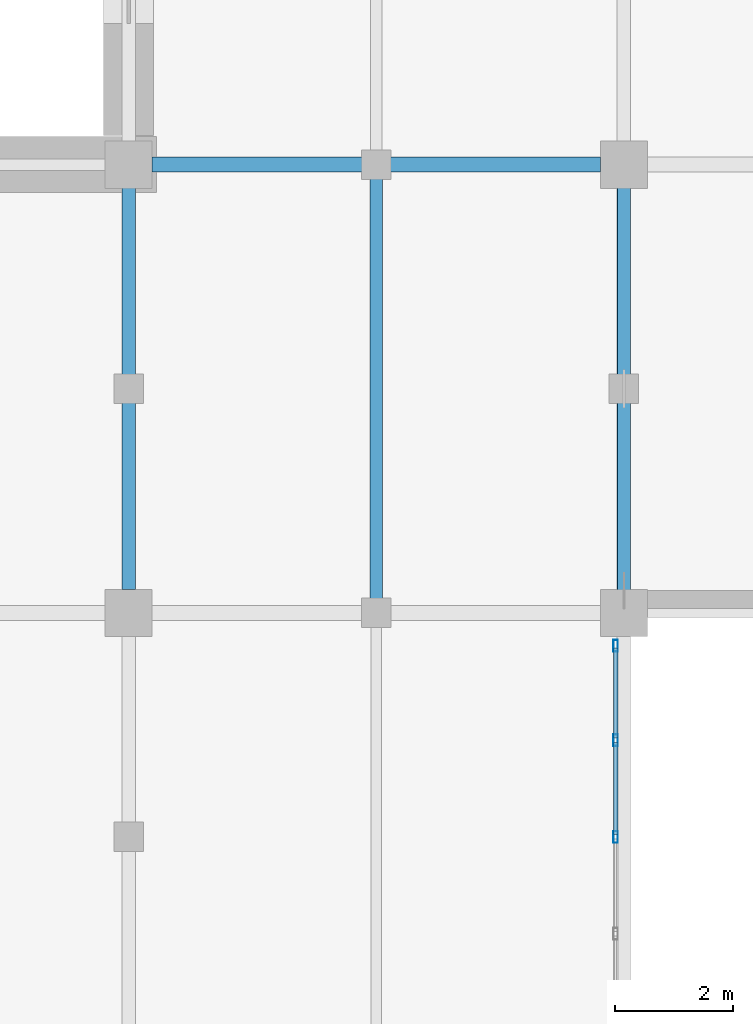
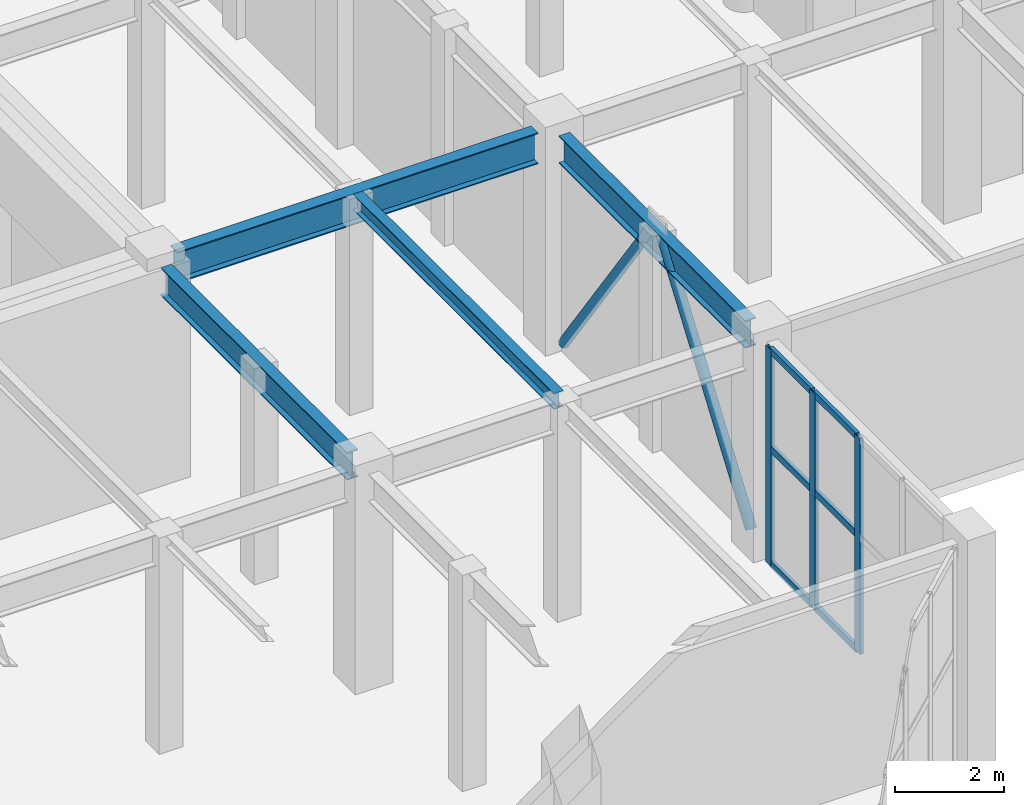
# One storey, part 39 of 128: 11 members, 4 beams, 1 element without a shape of its own.
"""IFC4 building model written with IfcOpenShell, lengths in metres."""

import ifcopenshell
import ifcopenshell.guid

model = None  # the IFC model being written
_history = None  # IfcOwnerHistory: only IFC2X3 demands one
_inside = {}  # id of a spatial element -> (the spatial element, [elements in it])
_under = {}  # id of a project, library or spatial element -> (it, [spatial elements below it])
_declared = {}  # id of a project -> (the project, [libraries it declares])
_typed = {}  # id of a type object -> (the type object, [elements of that type])
_made_of = {}  # id of a material, layer set ... -> (it, [elements and type objects made of it])


def new_model(schema):
    """Start an empty IFC model of exactly this schema.

    Asked for "IFC4X3", IfcOpenShell would pick the latest addendum, in which some entities
    have other attributes; the version numbers below select the first issue.
    IFC2X3 requires an IfcOwnerHistory on every rooted entity: one is made here for all.
    """
    global model, _history
    if schema == "IFC4X3":
        model = ifcopenshell.file(schema_version=(4, 3, 0, 0))
    else:
        model = ifcopenshell.file(schema=schema)
    _inside.clear()
    _under.clear()
    _declared.clear()
    _typed.clear()
    _made_of.clear()
    _history = None
    if model.schema == "IFC2X3":
        org = make("IfcOrganization", Name="unknown")
        user = make(
            "IfcPersonAndOrganization",
            ThePerson=make("IfcPerson", FamilyName="unknown"),
            TheOrganization=org,
        )
        app = make(
            "IfcApplication",
            ApplicationDeveloper=org,
            Version="unknown",
            ApplicationFullName="unknown",
            ApplicationIdentifier="unknown",
        )
        _history = make(
            "IfcOwnerHistory",
            OwningUser=user,
            OwningApplication=app,
            ChangeAction="ADDED",
            CreationDate=0,
        )
    return model


def make(cls, **values):
    """One entity of the class cls with the attributes given. An attribute that is None is left unset."""
    return model.create_entity(
        cls, **{name: value for name, value in values.items() if value is not None}
    )


def rooted(cls, **values):
    """An entity with a GlobalId (a new one), such as an element, a storey or a relation."""
    return make(cls, GlobalId=ifcopenshell.guid.new(), OwnerHistory=_history, **values)


def si_unit(unit_type, name, prefix=None):
    """IfcSIUnit, for example si_unit("LENGTHUNIT", "METRE", prefix="MILLI")."""
    return make("IfcSIUnit", UnitType=unit_type, Prefix=prefix, Name=name)


def assignment(units):
    """IfcUnitAssignment: the units of a project."""
    return None if units is None else make("IfcUnitAssignment", Units=units)


def point(xyz):
    """IfcCartesianPoint."""
    return None if xyz is None else make("IfcCartesianPoint", Coordinates=xyz)


def direction(xyz):
    """IfcDirection."""
    return None if xyz is None else make("IfcDirection", DirectionRatios=xyz)


def frame(location, z_axis=None, x_axis=None):
    """IfcAxis2Placement3D, a coordinate frame: its origin and axes. An axis left out is left unset."""
    return make(
        "IfcAxis2Placement3D",
        Location=point(location),
        Axis=direction(z_axis),
        RefDirection=direction(x_axis),
    )


def frame_2d(location, x_axis=None):
    """IfcAxis2Placement2D, a coordinate frame in the plane: its origin and x axis."""
    return make(
        "IfcAxis2Placement2D", Location=point(location), RefDirection=direction(x_axis)
    )


def origin():
    """The frame at (0, 0, 0) with its axes left unset."""
    return frame((0.0, 0.0, 0.0))


def origin_2d():
    """The frame at (0, 0) in the plane with its x axis left unset."""
    return frame_2d((0.0, 0.0))


def place(relative_to, where):
    """IfcLocalPlacement: puts the frame where relative to a parent placement (None: the world)."""
    return make(
        "IfcLocalPlacement", PlacementRelTo=relative_to, RelativePlacement=where
    )


def context(
    kind, dimensions, precision=None, world=None, true_north=None, identifier=None
):
    """IfcGeometricRepresentationContext, for example the 3D "Model" context."""
    return make(
        "IfcGeometricRepresentationContext",
        ContextIdentifier=identifier,
        ContextType=kind,
        CoordinateSpaceDimension=dimensions,
        Precision=precision,
        WorldCoordinateSystem=world,
        TrueNorth=true_north,
    )


def subcontext(parent, identifier, kind, view, scale=None):
    """IfcGeometricRepresentationSubContext, for example "Body" below "Model"."""
    return make(
        "IfcGeometricRepresentationSubContext",
        ContextIdentifier=identifier,
        ContextType=kind,
        ParentContext=parent,
        TargetScale=scale,
        TargetView=view,
    )


def project(units=None, contexts=None):
    """IfcProject with its units and contexts."""
    return rooted(
        "IfcProject",
        Name="project",
        RepresentationContexts=contexts,
        UnitsInContext=assignment(units),
    )


def spatial(cls, under=None, at=None, **own):
    """A site, building, storey or space (cls), placed at a placement, below another one or the project."""
    s = rooted(cls, ObjectPlacement=at, **own)
    if under is not None:
        _under.setdefault(under.id(), (under, []))[1].append(s)
    return s


def profile(cls, at=None, kind="AREA", **sizes):
    """A parametric profile (cls). Its sizes go by their IFC names, for example OverallWidth=200.0."""
    return make(cls, ProfileType=kind, Position=at, **sizes)


def hollow_rectangle(**sizes):
    """IfcRectangleHollowProfileDef."""
    return profile("IfcRectangleHollowProfileDef", **sizes)


def hollow_circle(**sizes):
    """IfcCircleHollowProfileDef."""
    return profile("IfcCircleHollowProfileDef", **sizes)


def i_section(**sizes):
    """IfcIShapeProfileDef."""
    return profile("IfcIShapeProfileDef", **sizes)


def extrude(swept, where, along, depth):
    """IfcExtrudedAreaSolid: the profile swept, set in the frame where, extruded along a direction by depth."""
    return make(
        "IfcExtrudedAreaSolid",
        SweptArea=swept,
        Position=where,
        ExtrudedDirection=direction(along),
        Depth=depth,
    )


def shape(context_of_items, identifier, shape_type, items):
    """IfcShapeRepresentation: the items that make up one representation, for example the "Body"."""
    return make(
        "IfcShapeRepresentation",
        ContextOfItems=context_of_items,
        RepresentationIdentifier=identifier,
        RepresentationType=shape_type,
        Items=items,
    )


def material(Name=None, Category=None):
    """IfcMaterial."""
    return make("IfcMaterial", Name=Name, Category=Category)


def layer(
    of_material, thickness, ventilated=None, Name=None, Category=None, Priority=None
):
    """IfcMaterialLayer: one layer of a wall or slab, of a material (None: an air gap)."""
    return make(
        "IfcMaterialLayer",
        Material=of_material,
        LayerThickness=thickness,
        IsVentilated=ventilated,
        Name=Name,
        Category=Category,
        Priority=Priority,
    )


def layer_set(layers, Name=None):
    """IfcMaterialLayerSet."""
    return make("IfcMaterialLayerSet", MaterialLayers=layers, LayerSetName=Name)


def material_profile(
    of_material, cross_section, Name=None, Category=None, Priority=None
):
    """IfcMaterialProfile: a cross section and its material."""
    return make(
        "IfcMaterialProfile",
        Name=Name,
        Material=of_material,
        Profile=cross_section,
        Priority=Priority,
        Category=Category,
    )


def profile_set(profiles, Name=None, composite=None):
    """IfcMaterialProfileSet."""
    return make(
        "IfcMaterialProfileSet",
        Name=Name,
        MaterialProfiles=profiles,
        CompositeProfile=composite,
    )


def made_of(thing, what):
    """Note that an element or type object is made of a material, layer set ...; save() writes the relation."""
    if what is not None:
        _made_of.setdefault(what.id(), (what, []))[1].append(thing)
    return thing


def type_object(cls, material=None, **own):
    """A type object (cls), such as IfcWallType, which elements share."""
    return made_of(rooted(cls, **own), material)


def element(
    cls,
    number,
    at=None,
    inside=None,
    cuts=None,
    type_object=None,
    material=None,
    context=None,
    identifier="Body",
    shape_type=None,
    held_by="IfcProductDefinitionShape",
    body=None,
    shapes=None,
    **own,
):
    """One element of the class cls, such as IfcWall. Its Tag is "e" and its number.

    at: its placement. inside: the storey or other place that contains it. cuts: it is an
    opening in that element (IfcRelVoidsElement). A single representation is given by context,
    identifier, shape_type and body (its items); several are given by shapes. held_by: the class
    of the entity that holds the representations. save() writes the other relations.
    """
    e = rooted(cls, Tag="e%d" % number, ObjectPlacement=at, **own)
    if body is not None:
        shapes = [shape(context, identifier, shape_type, body)]
    if shapes is not None:
        e.Representation = make(held_by, Representations=shapes)
    if inside is not None:
        _inside.setdefault(inside.id(), (inside, []))[1].append(e)
    if cuts is not None:
        rooted(
            "IfcRelVoidsElement", RelatingBuildingElement=cuts, RelatedOpeningElement=e
        )
    if type_object is not None:
        _typed.setdefault(type_object.id(), (type_object, []))[1].append(e)
    return made_of(e, material)


def aggregate(whole, parts):
    """IfcRelAggregates: a whole, such as a stair, and the parts it consists of."""
    return rooted("IfcRelAggregates", RelatingObject=whole, RelatedObjects=parts)


def save(model, path):
    """Write the relations noted so far, then the file.

    IfcRelAggregates (storeys below a building ...), IfcRelContainedInSpatialStructure (elements
    in a storey), IfcRelDefinesByType, IfcRelAssociatesMaterial and IfcRelDeclares: one each for
    every whole, place, type object, material and project.
    """
    for whole, parts in _under.values():
        aggregate(whole, parts)
    for where, things in _inside.values():
        rooted(
            "IfcRelContainedInSpatialStructure",
            RelatedElements=things,
            RelatingStructure=where,
        )
    for kind, things in _typed.values():
        rooted("IfcRelDefinesByType", RelatedObjects=things, RelatingType=kind)
    for what, things in _made_of.values():
        rooted("IfcRelAssociatesMaterial", RelatedObjects=things, RelatingMaterial=what)
    for by, libraries in _declared.values():
        rooted("IfcRelDeclares", RelatingContext=by, RelatedDefinitions=libraries)
    model.write(path)


model = new_model("IFC4")

# Units and contexts
model_context = context("Model", 3, precision=1e-05, world=origin(), true_north=direction((0.0, 1.0)))
body_context = subcontext(model_context, "Body", "Model", "MODEL_VIEW")
ifc_project = project(units=[si_unit("LENGTHUNIT", "METRE"), si_unit("AREAUNIT", "SQUARE_METRE"), si_unit("VOLUMEUNIT", "CUBIC_METRE"), si_unit("PLANEANGLEUNIT", "RADIAN"), si_unit("MASSUNIT", "GRAM", prefix="KILO")], contexts=[model_context])

# Site, building, storey
site_placement = place(None, origin())
site = spatial("IfcSite", under=ifc_project, at=site_placement, CompositionType="ELEMENT")
building_placement = place(site_placement, origin())
building = spatial("IfcBuilding", under=site, at=building_placement, Name="Xicomal Pleat Aquarium", CompositionType="ELEMENT")
storey_placement = place(building_placement, frame((0.0, 0.0, 5.39990234375)))
storey = spatial("IfcBuildingStorey", under=building, at=storey_placement, Name="L02", CompositionType="ELEMENT", Elevation=5.39990234375)

# Beams
ifc_material_1 = material(Name="Structural steel A992 Gr 50", Category="steel")
ifc_material_profile_1 = material_profile(ifc_material_1, i_section(OverallWidth=0.205078125, OverallDepth=0.35400390625, WebThickness=0.009521484375, FlangeThickness=0.016845703125, at=origin_2d()), Name="IR 360x79")
ifc_profile_set_1 = profile_set([ifc_material_profile_1], Name="Structural steel A992 Gr 50")
beam_type_1 = type_object("IfcBeamType", Name="BM-STL-IR360", PredefinedType="JOIST", material=ifc_profile_set_1)
beam_1_placement = place(storey_placement, frame((90.0, 38.131103515625, 4.64306640625), z_axis=(0.0, 1.0, 0.0), x_axis=(-1.0, 0.0, 0.0)))
element("IfcBeam", 1, at=beam_1_placement, inside=storey, type_object=beam_type_1, Name="L02 framing beam FBJ-L02-11-F-1", PredefinedType="JOIST", context=body_context, shape_type="SweptSolid", body=[
    extrude(i_section(OverallWidth=0.205078125, OverallDepth=0.35400390625, WebThickness=0.009521484375, FlangeThickness=0.016845703125, at=origin_2d()), origin(), (0.0, 0.0, 1.0), 7.337890625),
])
ifc_material_2 = material(Name="Structural steel A992 Gr 50", Category="steel")
ifc_material_profile_2 = material_profile(ifc_material_2, i_section(OverallWidth=0.22998046875, OverallDepth=0.616943359375, WebThickness=0.01318359375, FlangeThickness=0.022216796875, at=origin_2d()), Name="IR 610x140")
ifc_profile_set_2 = profile_set([ifc_material_profile_2], Name="Structural steel A992 Gr 50")
beam_type_2 = type_object("IfcBeamType", Name="BM-STL-IR610", PredefinedType="BEAM", material=ifc_profile_set_2)
for number, where, z_axis, x_axis, name in (
    (2, (85.800048828125, 38.39501953125, 4.51171875), (0.0, 1.0, 0.0), (-1.0, 0.0, 0.0), "L02 framing beam FGY-L02-11-F-G"),
    (3, (94.199951171875, 38.39501953125, 4.51171875), (0.0, 1.0, 0.0), (-1.0, 0.0, 0.0), "L02 framing beam FGY-L02-12-F-G"),
):
    element("IfcBeam", number, at=place(storey_placement, frame(where, z_axis=z_axis, x_axis=x_axis)), inside=storey, type_object=beam_type_2, Name=name, PredefinedType="BEAM", context=body_context, shape_type="SweptSolid", body=[
        extrude(i_section(OverallWidth=0.22998046875, OverallDepth=0.616943359375, WebThickness=0.01318359375, FlangeThickness=0.022216796875, at=origin_2d()), origin(), (0.0, 0.0, 1.0), 6.81005859375),
    ])
ifc_material_3 = material(Name="Structural steel A992 Gr 50", Category="steel")
ifc_material_profile_3 = material_profile(ifc_material_3, i_section(OverallWidth=0.256103515625, OverallDepth=0.693115234375, WebThickness=0.014404296875, FlangeThickness=0.023681640625, at=origin_2d()), Name="IR 690x170")
ifc_profile_set_3 = profile_set([ifc_material_profile_3], Name="Structural steel A992 Gr 50")
beam_type_3 = type_object("IfcBeamType", Name="BM-STL-IR690", PredefinedType="BEAM", material=ifc_profile_set_3)
beam_2_placement = place(storey_placement, frame((86.195068359375, 45.60009765625, 4.4736328125), z_axis=(1.0, 0.0, 0.0), x_axis=(0.0, 1.0, 0.0)))
element("IfcBeam", 4, at=beam_2_placement, inside=storey, type_object=beam_type_3, Name="L02 framing beam FGX-L02-11-12-G", PredefinedType="BEAM", context=body_context, shape_type="SweptSolid", body=[
    extrude(i_section(OverallWidth=0.256103515625, OverallDepth=0.693115234375, WebThickness=0.014404296875, FlangeThickness=0.023681640625, at=origin_2d()), origin(), (0.0, 0.0, 1.0), 7.60986328125),
])

# Curtain wall, members
ifc_material_4 = material(Name="Bronze anodized aluminium 6063-T6", Category="aluminium")
ifc_layer = layer(ifc_material_4, 0.159912109375)
ifc_layer_set = layer_set([ifc_layer], Name="Bronze anodized aluminium 6063-T6")
curtain_wall_type = type_object("IfcCurtainWallType", Name="CW-SYS-07", PredefinedType="NOTDEFINED", material=ifc_layer_set)
curtain_wall_placement = place(storey_placement, origin())
curtain_wall = element("IfcCurtainWall", 5, at=curtain_wall_placement, inside=storey, type_object=curtain_wall_type, Name="L02 unitised curtain wall CW-L02-118", PredefinedType="NOTDEFINED")
ifc_material_5 = material(Name="Bronze anodized aluminium 6063-T6", Category="aluminium")
ifc_material_profile_4 = material_profile(ifc_material_5, hollow_rectangle(XDim=0.074951171875, YDim=0.199951171875, WallThickness=0.00439453125, at=origin_2d()), Name="ALU MULL 75x200")
ifc_profile_set_4 = profile_set([ifc_material_profile_4], Name="Bronze anodized aluminium 6063-T6")
member_type_1 = type_object("IfcMemberType", Name="CWM-75x200", PredefinedType="MULLION", material=ifc_profile_set_4)
member_1_placement = place(storey_placement, frame((94.06005859375, 37.4423828125, 0.0), z_axis=(0.0, 0.0, 1.0), x_axis=(1.0, 0.0, 0.0)))
member_1 = element("IfcMember", 6, at=member_1_placement, type_object=member_type_1, Name="CW-07 mullion 1", PredefinedType="MULLION", context=body_context, shape_type="SweptSolid", body=[
    extrude(hollow_rectangle(XDim=0.074951171875, YDim=0.199951171875, WallThickness=0.00439453125, at=origin_2d()), origin(), (0.0, 0.0, 1.0), 4.820068359375),
])
member_2_placement = place(storey_placement, frame((94.06005859375, 35.840087890625, 0.0), z_axis=(0.0, 0.0, 1.0), x_axis=(1.0, 0.0, 0.0)))
member_2 = element("IfcMember", 7, at=member_2_placement, type_object=member_type_1, Name="CW-07 mullion 2", PredefinedType="MULLION", context=body_context, shape_type="SweptSolid", body=[
    extrude(hollow_rectangle(XDim=0.074951171875, YDim=0.199951171875, WallThickness=0.00439453125, at=origin_2d()), origin(), (0.0, 0.0, 1.0), 4.820068359375),
])
member_3_placement = place(storey_placement, frame((94.06005859375, 34.199951171875, 0.0), z_axis=(0.0, 0.0, 1.0), x_axis=(1.0, 0.0, 0.0)))
member_3 = element("IfcMember", 8, at=member_3_placement, type_object=member_type_1, Name="CW-07 mullion 3", PredefinedType="MULLION", context=body_context, shape_type="SweptSolid", body=[
    extrude(hollow_rectangle(XDim=0.074951171875, YDim=0.199951171875, WallThickness=0.00439453125, at=origin_2d()), origin(), (0.0, 0.0, 1.0), 4.820068359375),
])
ifc_material_6 = material(Name="Bronze anodized aluminium 6063-T6", Category="aluminium")
ifc_material_profile_5 = material_profile(ifc_material_6, hollow_rectangle(XDim=0.074951171875, YDim=0.14990234375, WallThickness=0.00439453125, at=origin_2d()), Name="ALU TRAN 75x150")
ifc_profile_set_5 = profile_set([ifc_material_profile_5], Name="Bronze anodized aluminium 6063-T6")
member_type_2 = type_object("IfcMemberType", Name="CWT-75x150", PredefinedType="USERDEFINED", material=ifc_profile_set_5)
member_4_placement = place(storey_placement, frame((94.06005859375, 37.405029296875, 0.03759765625), z_axis=(0.0, -1.0, 0.0), x_axis=(1.0, 0.0, 0.0)))
member_4 = element("IfcMember", 9, at=member_4_placement, type_object=member_type_2, Name="CW-07 transom 1.1", ObjectType="TRANSOM", PredefinedType="USERDEFINED", context=body_context, shape_type="SweptSolid", body=[
    extrude(hollow_rectangle(XDim=0.074951171875, YDim=0.14990234375, WallThickness=0.00439453125, at=origin_2d()), origin(), (0.0, 0.0, 1.0), 1.527587890625),
])
member_5_placement = place(storey_placement, frame((94.06005859375, 37.405029296875, 2.60302734375), z_axis=(0.0, -1.0, 0.0), x_axis=(1.0, 0.0, 0.0)))
member_5 = element("IfcMember", 10, at=member_5_placement, type_object=member_type_2, Name="CW-07 transom 1.2", ObjectType="TRANSOM", PredefinedType="USERDEFINED", context=body_context, shape_type="SweptSolid", body=[
    extrude(hollow_rectangle(XDim=0.074951171875, YDim=0.14990234375, WallThickness=0.00439453125, at=origin_2d()), origin(), (0.0, 0.0, 1.0), 1.527587890625),
])
member_6_placement = place(storey_placement, frame((94.06005859375, 37.405029296875, 4.78271484375), z_axis=(0.0, -1.0, 0.0), x_axis=(1.0, 0.0, 0.0)))
member_6 = element("IfcMember", 11, at=member_6_placement, type_object=member_type_2, Name="CW-07 transom 1.3", ObjectType="TRANSOM", PredefinedType="USERDEFINED", context=body_context, shape_type="SweptSolid", body=[
    extrude(hollow_rectangle(XDim=0.074951171875, YDim=0.14990234375, WallThickness=0.00439453125, at=origin_2d()), origin(), (0.0, 0.0, 1.0), 1.527587890625),
])
member_7_placement = place(storey_placement, frame((94.06005859375, 35.802490234375, 0.03759765625), z_axis=(0.0, -1.0, 0.0), x_axis=(1.0, 0.0, 0.0)))
member_7 = element("IfcMember", 12, at=member_7_placement, type_object=member_type_2, Name="CW-07 transom 2.1", ObjectType="TRANSOM", PredefinedType="USERDEFINED", context=body_context, shape_type="SweptSolid", body=[
    extrude(hollow_rectangle(XDim=0.074951171875, YDim=0.14990234375, WallThickness=0.00439453125, at=origin_2d()), origin(), (0.0, 0.0, 1.0), 1.56494140625),
])
member_8_placement = place(storey_placement, frame((94.06005859375, 35.802490234375, 2.60302734375), z_axis=(0.0, -1.0, 0.0), x_axis=(1.0, 0.0, 0.0)))
member_8 = element("IfcMember", 13, at=member_8_placement, type_object=member_type_2, Name="CW-07 transom 2.2", ObjectType="TRANSOM", PredefinedType="USERDEFINED", context=body_context, shape_type="SweptSolid", body=[
    extrude(hollow_rectangle(XDim=0.074951171875, YDim=0.14990234375, WallThickness=0.00439453125, at=origin_2d()), origin(), (0.0, 0.0, 1.0), 1.56494140625),
])
member_9_placement = place(storey_placement, frame((94.06005859375, 35.802490234375, 4.78271484375), z_axis=(0.0, -1.0, 0.0), x_axis=(1.0, 0.0, 0.0)))
member_9 = element("IfcMember", 14, at=member_9_placement, type_object=member_type_2, Name="CW-07 transom 2.3", ObjectType="TRANSOM", PredefinedType="USERDEFINED", context=body_context, shape_type="SweptSolid", body=[
    extrude(hollow_rectangle(XDim=0.074951171875, YDim=0.14990234375, WallThickness=0.00439453125, at=origin_2d()), origin(), (0.0, 0.0, 1.0), 1.56494140625),
])
aggregate(curtain_wall, [member_1, member_2, member_3, member_4, member_5, member_6, member_7, member_8, member_9])

# Members
ifc_material_7 = material(Name="Structural steel A500 Gr C", Category="steel")
ifc_material_profile_6 = material_profile(ifc_material_7, hollow_circle(Radius=0.109619140625, WallThickness=0.011962890625, at=origin_2d()), Name="OC 219x12")
ifc_profile_set_6 = profile_set([ifc_material_profile_6], Name="Structural steel A500 Gr C")
member_type_3 = type_object("IfcMemberType", Name="MEM-BR-OC219", PredefinedType="BRACE", material=ifc_profile_set_6)
for number, where, z_axis, x_axis, name in (
    (15, (94.199951171875, 38.3798828125, 0.150146484375), (0.0, 0.579407582013, 0.815037946298), (-1.0, 0.0, 0.0), "L02 chevron brace 17A"),
    (16, (94.199951171875, 45.219970703125, 0.150146484375), (0.0, -0.579407582013, 0.815037946298), (1.0, 0.0, 0.0), "L02 chevron brace 17B"),
):
    element("IfcMember", number, at=place(storey_placement, frame(where, z_axis=z_axis, x_axis=x_axis)), inside=storey, type_object=member_type_3, Name=name, PredefinedType="BRACE", context=body_context, shape_type="SweptSolid", body=[
        extrude(hollow_circle(Radius=0.109619140625, WallThickness=0.011962890625, at=origin_2d()), origin(), (0.0, 0.0, 1.0), 5.643798828125),
    ])

save(model, "model.ifc")
